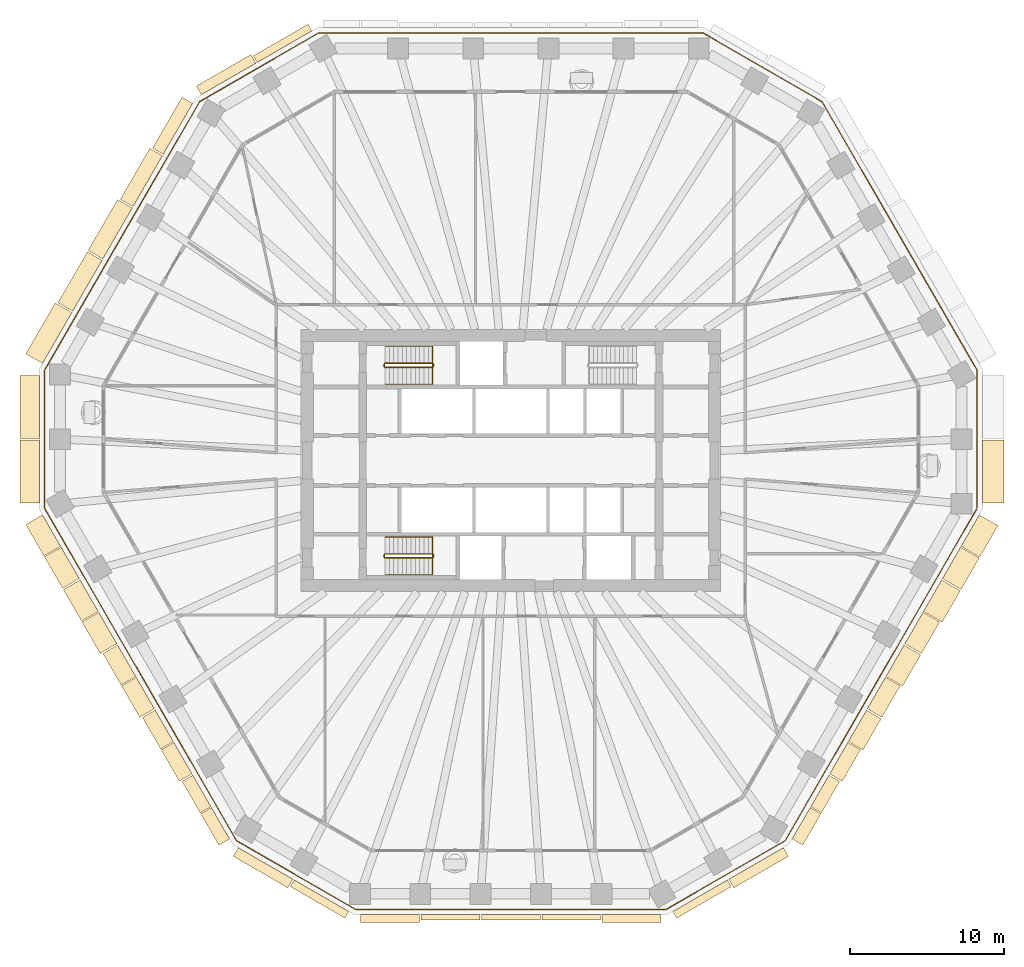
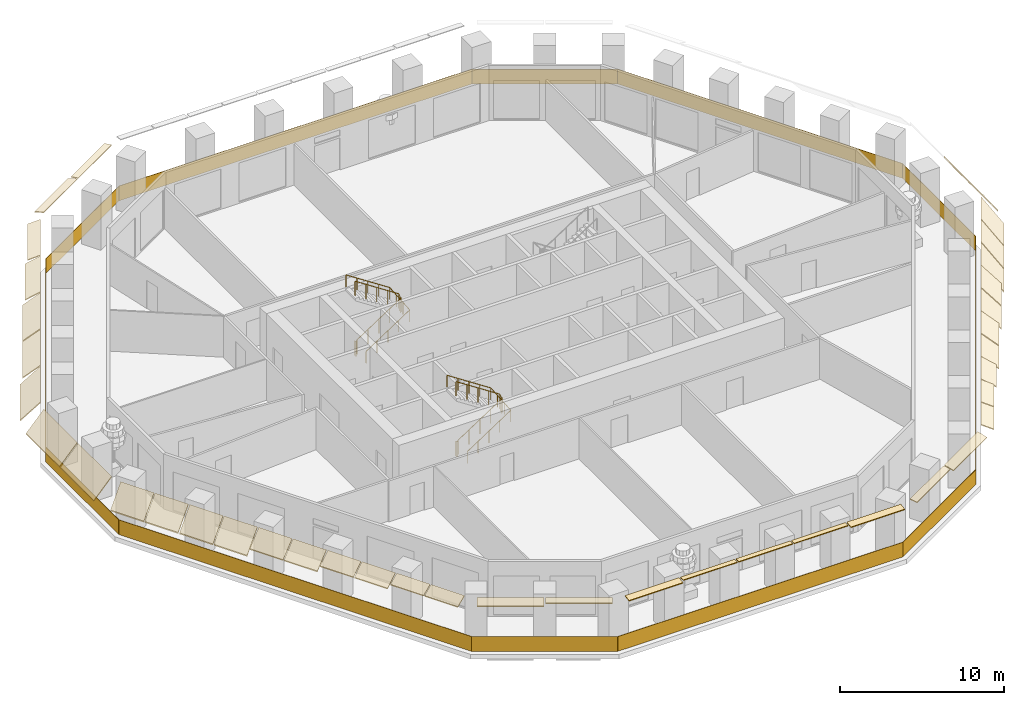
# One storey, part 9 of 12: 39 coverings, 5 railings.
"""IFC4 building model written with IfcOpenShell, lengths in metres."""

from ifc_helpers import new_model, si_unit, direction, frame, origin, origin_2d, place, context, subcontext, project, spatial, polyline, rectangle, circle, outline, extrude, material, layer, layer_set, type_object, element, save


model = new_model("IFC4")

# Units and contexts
model_context = context("Model", 3, precision=1e-05, world=origin(), true_north=direction((0.0, 1.0)))
body_context = subcontext(model_context, "Body", "Model", "MODEL_VIEW")
ifc_project = project(units=[si_unit("LENGTHUNIT", "METRE"), si_unit("AREAUNIT", "SQUARE_METRE"), si_unit("VOLUMEUNIT", "CUBIC_METRE"), si_unit("PLANEANGLEUNIT", "RADIAN"), si_unit("MASSUNIT", "GRAM", prefix="KILO")], contexts=[model_context])

# Site, building, storey
site_placement = place(None, origin())
site = spatial("IfcSite", under=ifc_project, at=site_placement, CompositionType="ELEMENT")
building_placement = place(site_placement, origin())
building = spatial("IfcBuilding", under=site, at=building_placement, Name="Frailejon Research Tower", CompositionType="ELEMENT")
storey_placement = place(building_placement, frame((0.0, 0.0, 126.39990234375)))
storey = spatial("IfcBuildingStorey", under=building, at=storey_placement, Name="L27", CompositionType="ELEMENT", Elevation=126.39990234375)

# Coverings
ifc_material_1 = material(Name="Precast concrete C50/60", Category="concrete")
ifc_layer_1 = layer(ifc_material_1, 0.06005859375)
ifc_layer_set_1 = layer_set([ifc_layer_1], Name="Brim blade depth 1100")
covering_type_1 = type_object("IfcCoveringType", Name="Brim blade depth 1100", PredefinedType="CLADDING", material=ifc_layer_set_1)
covering_1_placement = place(storey_placement, frame((-26.442626953125, 13.0654296875, 4.25), z_axis=(0.500001217064, 0.866024701111, 0.0), x_axis=(-0.866024701111, 0.500001217064, 0.0)))
element("IfcCovering", 1, at=covering_1_placement, inside=storey, type_object=covering_type_1, Name="Brim blade L27", PredefinedType="CLADDING", context=body_context, shape_type="SweptSolid", body=[
    extrude(outline(polyline([(0.0, -0.078369140625), (1.10009765625, -1.001220703125), (1.10009765625, -0.923095703125), (0.0, 0.0), (0.0, -0.078369140625)])), origin(), (0.0, 0.0, 1.0), 3.8125),
])
covering_2_placement = place(storey_placement, frame((-28.39892578125, 9.677001953125, 4.25), z_axis=(0.499990149831, 0.866031090707, 0.0), x_axis=(-0.866031090707, 0.499990149831, 0.0)))
element("IfcCovering", 2, at=covering_2_placement, inside=storey, type_object=covering_type_1, Name="Brim blade L27", PredefinedType="CLADDING", context=body_context, shape_type="SweptSolid", body=[
    extrude(outline(polyline([(0.0, -0.078369140625), (1.10009765625, -1.001220703125), (1.10009765625, -0.923095703125), (0.0, 0.0), (0.0, -0.078369140625)])), origin(), (0.0, 0.0, 1.0), 3.812744140625),
])
for number, where, z_axis, x_axis, name in (
    (3, (-24.306884765625, -13.9990234375, 4.25), (-0.50000563012, 0.866022153209, 0.0), (-0.866022153209, -0.50000563012, 0.0), "Brim blade L27"),
    (4, (-23.099365234375, -16.0908203125, 4.25), (-0.50000563012, 0.866022153209, 0.0), (-0.866022153209, -0.50000563012, 0.0), "Brim blade L27"),
    (5, (23.04931640625, -16.17724609375, 4.25), (-0.499996739973, -0.866027285954, 0.0), (0.866027285954, -0.499996739973, 0.0), "Brim blade L27"),
    (6, (24.277099609375, -14.051025390625, 4.25), (-0.50000563012, -0.866022153209, 0.0), (0.866022153209, -0.50000563012, 0.0), "Brim blade L27"),
):
    element("IfcCovering", number, at=place(storey_placement, frame(where, z_axis=z_axis, x_axis=x_axis)), inside=storey, type_object=covering_type_1, Name=name, PredefinedType="CLADDING", context=body_context, shape_type="SweptSolid", body=[
        extrude(outline(polyline([(0.0, -0.078369140625), (1.10009765625, -1.001220703125), (1.10009765625, -0.923095703125), (0.0, 0.0), (0.0, -0.078369140625)])), origin(), (0.0, 0.0, 1.0), 2.355224609375),
    ])
ifc_material_2 = material(Name="Precast concrete C50/60", Category="concrete")
ifc_layer_2 = layer(ifc_material_2, 0.06005859375)
ifc_layer_set_2 = layer_set([ifc_layer_2], Name="Brim blade depth 1250")
covering_type_2 = type_object("IfcCoveringType", Name="Brim blade depth 1250", PredefinedType="CLADDING", material=ifc_layer_set_2)
covering_3_placement = place(storey_placement, frame((-30.355224609375, 6.28857421875, 4.25), z_axis=(0.500001217064, 0.866024701111, 0.0), x_axis=(-0.866024701111, 0.500001217064, 0.0)))
element("IfcCovering", 7, at=covering_3_placement, inside=storey, type_object=covering_type_2, Name="Brim blade L27", PredefinedType="CLADDING", context=body_context, shape_type="SweptSolid", body=[
    extrude(outline(polyline([(0.0, -0.0888671875), (1.25, -1.452880859375), (1.25, -1.364013671875), (0.0, 0.0), (0.0, -0.0888671875)])), origin(), (0.0, 0.0, 1.0), 3.8125),
])
covering_4_placement = place(storey_placement, frame((-30.56103515625, 1.432861328125, 4.25), z_axis=(0.0, 1.0, 0.0), x_axis=(-1.0, 0.0, 0.0)))
element("IfcCovering", 8, at=covering_4_placement, inside=storey, type_object=covering_type_2, Name="Brim blade L27", PredefinedType="CLADDING", context=body_context, shape_type="SweptSolid", body=[
    extrude(outline(polyline([(0.0, -0.0888671875), (1.25, -1.452880859375), (1.25, -1.364013671875), (0.0, 0.0), (0.0, -0.0888671875)])), origin(), (0.0, 0.0, 1.0), 4.08740234375),
])
covering_5_placement = place(storey_placement, frame((-30.56103515625, -2.7548828125, 4.25), z_axis=(0.0, 1.0, 0.0), x_axis=(-1.0, 0.0, 0.0)))
element("IfcCovering", 9, at=covering_5_placement, inside=storey, type_object=covering_type_2, Name="Brim blade L27", PredefinedType="CLADDING", context=body_context, shape_type="SweptSolid", body=[
    extrude(outline(polyline([(0.0, -0.0888671875), (1.25, -1.452880859375), (1.25, -1.364013671875), (0.0, 0.0), (0.0, -0.0888671875)])), origin(), (0.0, 0.0, 1.0), 4.087646484375),
])
for number, where, z_axis, x_axis, name in (
    (10, (-29.177490234375, -5.56298828125, 4.25), (-0.499996739973, 0.866027285954, 0.0), (-0.866027285954, -0.499996739973, 0.0), "Brim blade L27"),
    (11, (-27.969970703125, -7.654541015625, 4.25), (-0.499996739973, 0.866027285954, 0.0), (-0.866027285954, -0.499996739973, 0.0), "Brim blade L27"),
    (12, (-26.7421875, -9.781005859375, 4.25), (-0.499996739973, 0.866027285954, 0.0), (-0.866027285954, -0.499996739973, 0.0), "Brim blade L27"),
    (13, (-25.53466796875, -11.872802734375, 4.25), (-0.499996739973, 0.866027285954, 0.0), (-0.866027285954, -0.499996739973, 0.0), "Brim blade L27"),
    (14, (25.484619140625, -11.959228515625, 4.25), (-0.50000563012, -0.866022153209, 0.0), (0.866022153209, -0.50000563012, 0.0), "Brim blade L27"),
    (15, (26.71240234375, -9.8330078125, 4.25), (-0.499996739973, -0.866027285954, 0.0), (0.866027285954, -0.499996739973, 0.0), "Brim blade L27"),
):
    element("IfcCovering", number, at=place(storey_placement, frame(where, z_axis=z_axis, x_axis=x_axis)), inside=storey, type_object=covering_type_2, Name=name, PredefinedType="CLADDING", context=body_context, shape_type="SweptSolid", body=[
        extrude(outline(polyline([(0.0, -0.0888671875), (1.25, -1.452880859375), (1.25, -1.364013671875), (0.0, 0.0), (0.0, -0.0888671875)])), origin(), (0.0, 0.0, 1.0), 2.355224609375),
    ])
ifc_material_3 = material(Name="Precast concrete C50/60", Category="concrete")
ifc_layer_3 = layer(ifc_material_3, 0.06005859375)
ifc_layer_set_3 = layer_set([ifc_layer_3], Name="Brim blade depth 1400")
covering_type_3 = type_object("IfcCoveringType", Name="Brim blade depth 1400", PredefinedType="CLADDING", material=ifc_layer_set_3)
covering_6_placement = place(storey_placement, frame((30.56103515625, 1.332763671875, 4.25), z_axis=(0.0, -1.0, 0.0), x_axis=(1.0, 0.0, 0.0)))
element("IfcCovering", 16, at=covering_6_placement, inside=storey, type_object=covering_type_3, Name="Brim blade L27", PredefinedType="CLADDING", context=body_context, shape_type="SweptSolid", body=[
    extrude(outline(polyline([(0.0, -0.1044921875), (1.39990234375, -2.10400390625), (1.39990234375, -1.99951171875), (0.0, 0.0), (0.0, -0.1044921875)])), origin(), (0.0, 0.0, 1.0), 4.087646484375),
])
for number, where, z_axis, x_axis, name in (
    (17, (27.919921875, -7.7412109375, 4.25), (-0.499996739973, -0.866027285954, 0.0), (0.866027285954, -0.499996739973, 0.0), "Brim blade L27"),
    (18, (29.147705078125, -5.61474609375, 4.25), (-0.499996739973, -0.866027285954, 0.0), (0.866027285954, -0.499996739973, 0.0), "Brim blade L27"),
    (19, (30.355224609375, -3.523193359375, 4.25), (-0.499996739973, -0.866027285954, 0.0), (0.866027285954, -0.499996739973, 0.0), "Brim blade L27"),
):
    element("IfcCovering", number, at=place(storey_placement, frame(where, z_axis=z_axis, x_axis=x_axis)), inside=storey, type_object=covering_type_3, Name=name, PredefinedType="CLADDING", context=body_context, shape_type="SweptSolid", body=[
        extrude(outline(polyline([(0.0, -0.1044921875), (1.39990234375, -2.10400390625), (1.39990234375, -1.99951171875), (0.0, 0.0), (0.0, -0.1044921875)])), origin(), (0.0, 0.0, 1.0), 2.355224609375),
    ])
ifc_material_4 = material(Name="Precast concrete C50/60", Category="concrete")
ifc_layer_4 = layer(ifc_material_4, 0.06005859375)
ifc_layer_set_4 = layer_set([ifc_layer_4], Name="Brim blade depth 350")
covering_type_4 = type_object("IfcCoveringType", Name="Brim blade depth 350", PredefinedType="CLADDING", material=ifc_layer_set_4)
for number, where, z_axis, x_axis, name in (
    (20, (-2.00634765625, -29.432861328125, 4.25), (-1.0, 0.0, 0.0), (0.0, -1.0, 0.0), "Brim blade L27"),
    (21, (1.90625, -29.432861328125, 4.25), (-1.0, 0.0, 0.0), (0.0, -1.0, 0.0), "Brim blade L27"),
    (22, (5.81884765625, -29.432861328125, 4.25), (-1.0, 0.0, 0.0), (0.0, -1.0, 0.0), "Brim blade L27"),
):
    element("IfcCovering", number, at=place(storey_placement, frame(where, z_axis=z_axis, x_axis=x_axis)), inside=storey, type_object=covering_type_4, Name=name, PredefinedType="CLADDING", context=body_context, shape_type="SweptSolid", body=[
        extrude(outline(polyline([(0.0, -0.06005859375), (0.35009765625, -0.06005859375), (0.35009765625, 0.0), (0.0, 0.0), (0.0, -0.06005859375)])), origin(), (0.0, 0.0, 1.0), 3.8125),
    ])
ifc_material_5 = material(Name="Precast concrete C50/60", Category="concrete")
ifc_layer_5 = layer(ifc_material_5, 0.06005859375)
ifc_layer_set_5 = layer_set([ifc_layer_5], Name="Brim blade depth 500")
covering_type_5 = type_object("IfcCoveringType", Name="Brim blade depth 500", PredefinedType="CLADDING", material=ifc_layer_set_5)
for number, where, z_axis, x_axis, name in (
    (23, (-16.434814453125, 25.80029296875, 4.25), (0.866027315287, 0.499996689166, 0.0), (-0.499996689166, 0.866027315287, 0.0), "Brim blade L27"),
    (24, (-10.499755859375, -29.226806640625, 4.25), (-0.866027315287, 0.499996689166, 0.0), (-0.499996689166, -0.866027315287, 0.0), "Brim blade L27"),
):
    element("IfcCovering", number, at=place(storey_placement, frame(where, z_axis=z_axis, x_axis=x_axis)), inside=storey, type_object=covering_type_5, Name=name, PredefinedType="CLADDING", context=body_context, shape_type="SweptSolid", body=[
        extrude(outline(polyline([(0.0, -0.060546875), (0.5, -0.130859375), (0.5, -0.0703125), (0.0, 0.0), (0.0, -0.060546875)])), origin(), (0.0, 0.0, 1.0), 4.087646484375),
    ])
for number, where, z_axis, x_axis, name in (
    (25, (-5.9189453125, -29.432861328125, 4.25), (-1.0, 0.0, 0.0), (0.0, -1.0, 0.0), "Brim blade L27"),
    (26, (9.7314453125, -29.432861328125, 4.25), (-1.0, 0.0, 0.0), (0.0, -1.0, 0.0), "Brim blade L27"),
):
    element("IfcCovering", number, at=place(storey_placement, frame(where, z_axis=z_axis, x_axis=x_axis)), inside=storey, type_object=covering_type_5, Name=name, PredefinedType="CLADDING", context=body_context, shape_type="SweptSolid", body=[
        extrude(outline(polyline([(0.0, -0.060546875), (0.5, -0.130859375), (0.5, -0.0703125), (0.0, 0.0), (0.0, -0.060546875)])), origin(), (0.0, 0.0, 1.0), 3.8125),
    ])
covering_7_placement = place(storey_placement, frame((14.039794921875, -27.18310546875, 4.25), z_axis=(-0.866027315287, -0.499996689166, 0.0), x_axis=(0.499996689166, -0.866027315287, 0.0)))
element("IfcCovering", 27, at=covering_7_placement, inside=storey, type_object=covering_type_5, Name="Brim blade L27", PredefinedType="CLADDING", context=body_context, shape_type="SweptSolid", body=[
    extrude(outline(polyline([(0.0, -0.060546875), (0.5, -0.130859375), (0.5, -0.0703125), (0.0, 0.0), (0.0, -0.060546875)])), origin(), (0.0, 0.0, 1.0), 4.087646484375),
])
ifc_material_6 = material(Name="Precast concrete C50/60", Category="concrete")
ifc_layer_6 = layer(ifc_material_6, 0.06005859375)
ifc_layer_set_6 = layer_set([ifc_layer_6], Name="Brim blade depth 650")
covering_type_6 = type_object("IfcCoveringType", Name="Brim blade depth 650", PredefinedType="CLADDING", material=ifc_layer_set_6)
for number, where, z_axis, x_axis, name in (
    (28, (-20.061279296875, 23.70654296875, 4.25), (0.866021344981, 0.500007029989, 0.0), (-0.500007029989, 0.866021344981, 0.0), "Brim blade L27"),
    (29, (-14.12646484375, -27.133056640625, 4.25), (-0.866021344981, 0.500007029989, 0.0), (-0.500007029989, -0.866021344981, 0.0), "Brim blade L27"),
    (30, (17.666259765625, -25.08935546875, 4.25), (-0.866021344981, -0.500007029989, 0.0), (0.500007029989, -0.866021344981, 0.0), "Brim blade L27"),
):
    element("IfcCovering", number, at=place(storey_placement, frame(where, z_axis=z_axis, x_axis=x_axis)), inside=storey, type_object=covering_type_6, Name=name, PredefinedType="CLADDING", context=body_context, shape_type="SweptSolid", body=[
        extrude(outline(polyline([(0.0, -0.0625), (0.64990234375, -0.248779296875), (0.64990234375, -0.186279296875), (0.0, 0.0), (0.0, -0.0625)])), origin(), (0.0, 0.0, 1.0), 4.08740234375),
    ])
ifc_material_7 = material(Name="Precast concrete C50/60", Category="concrete")
ifc_layer_7 = layer(ifc_material_7, 0.06005859375)
ifc_layer_set_7 = layer_set([ifc_layer_7], Name="Brim blade depth 800")
covering_type_7 = type_object("IfcCoveringType", Name="Brim blade depth 800", PredefinedType="CLADDING", material=ifc_layer_set_7)
covering_8_placement = place(storey_placement, frame((-22.530029296875, 19.84228515625, 4.25), z_axis=(0.500001217064, 0.866024701111, 0.0), x_axis=(-0.866024701111, 0.500001217064, 0.0)))
element("IfcCovering", 31, at=covering_8_placement, inside=storey, type_object=covering_type_7, Name="Brim blade L27", PredefinedType="CLADDING", context=body_context, shape_type="SweptSolid", body=[
    extrude(outline(polyline([(0.0, -0.065673828125), (0.800048828125, -0.421875), (0.800048828125, -0.356201171875), (0.0, 0.0), (0.0, -0.065673828125)])), origin(), (0.0, 0.0, 1.0), 3.8125),
])
for number, where, z_axis, x_axis, name in (
    (32, (-19.436279296875, -22.435302734375, 4.25), (-0.499996739973, 0.866027285954, 0.0), (-0.866027285954, -0.499996739973, 0.0), "Brim blade L27"),
    (33, (-18.228759765625, -24.52685546875, 4.25), (-0.499996739973, 0.866027285954, 0.0), (-0.866027285954, -0.499996739973, 0.0), "Brim blade L27"),
    (34, (19.406494140625, -22.487060546875, 4.25), (-0.499996739973, -0.866027285954, 0.0), (0.866027285954, -0.499996739973, 0.0), "Brim blade L27"),
    (35, (20.614013671875, -20.3955078125, 4.25), (-0.499996739973, -0.866027285954, 0.0), (0.866027285954, -0.499996739973, 0.0), "Brim blade L27"),
):
    element("IfcCovering", number, at=place(storey_placement, frame(where, z_axis=z_axis, x_axis=x_axis)), inside=storey, type_object=covering_type_7, Name=name, PredefinedType="CLADDING", context=body_context, shape_type="SweptSolid", body=[
        extrude(outline(polyline([(0.0, -0.065673828125), (0.800048828125, -0.421875), (0.800048828125, -0.356201171875), (0.0, 0.0), (0.0, -0.065673828125)])), origin(), (0.0, 0.0, 1.0), 2.355224609375),
    ])
ifc_material_8 = material(Name="Precast concrete C50/60", Category="concrete")
ifc_layer_8 = layer(ifc_material_8, 0.06005859375)
ifc_layer_set_8 = layer_set([ifc_layer_8], Name="Brim blade depth 950")
covering_type_8 = type_object("IfcCoveringType", Name="Brim blade depth 950", PredefinedType="CLADDING", material=ifc_layer_set_8)
covering_9_placement = place(storey_placement, frame((-24.486328125, 16.453857421875, 4.25), z_axis=(0.500001217064, 0.866024701111, 0.0), x_axis=(-0.866024701111, 0.500001217064, 0.0)))
element("IfcCovering", 36, at=covering_9_placement, inside=storey, type_object=covering_type_8, Name="Brim blade L27", PredefinedType="CLADDING", context=body_context, shape_type="SweptSolid", body=[
    extrude(outline(polyline([(0.0, -0.07080078125), (0.949951171875, -0.664306640625), (0.949951171875, -0.593505859375), (0.0, 0.0), (0.0, -0.07080078125)])), origin(), (0.0, 0.0, 1.0), 3.8125),
])
for number, where, z_axis, x_axis, name in (
    (37, (-21.87158203125, -18.217041015625, 4.25), (-0.499996739973, 0.866027285954, 0.0), (-0.866027285954, -0.499996739973, 0.0), "Brim blade L27"),
    (38, (-20.6640625, -20.308837890625, 4.25), (-0.499996739973, 0.866027285954, 0.0), (-0.866027285954, -0.499996739973, 0.0), "Brim blade L27"),
    (39, (21.841796875, -18.26904296875, 4.25), (-0.499996739973, -0.866027285954, 0.0), (0.866027285954, -0.499996739973, 0.0), "Brim blade L27"),
):
    element("IfcCovering", number, at=place(storey_placement, frame(where, z_axis=z_axis, x_axis=x_axis)), inside=storey, type_object=covering_type_8, Name=name, PredefinedType="CLADDING", context=body_context, shape_type="SweptSolid", body=[
        extrude(outline(polyline([(0.0, -0.07080078125), (0.949951171875, -0.664306640625), (0.949951171875, -0.593505859375), (0.0, 0.0), (0.0, -0.07080078125)])), origin(), (0.0, 0.0, 1.0), 2.355224609375),
    ])

# Railings
ifc_material_9 = material(Name="Laminated glass balustrade", Category="glass")
railing_type_1 = type_object("IfcRailingType", Name="Glass guard 1100", PredefinedType="GUARDRAIL", material=ifc_material_9)
railing_1_placement = place(storey_placement, frame((30.225830078125, -3.07666015625, 0.0)))
element("IfcRailing", 40, at=railing_1_placement, inside=storey, type_object=railing_type_1, Name="Loggia guard L27", PredefinedType="GUARDRAIL", context=body_context, shape_type="SweptSolid", body=[
    extrude(rectangle(XDim=8.9189453125, YDim=0.030029296875, at=origin_2d()), frame((0.0, 4.45947265625, 0.0), z_axis=(0.0, 0.0, 1.0), x_axis=(0.0, 1.0, 0.0)), (0.0, 0.0, 1.0), 1.10009765625),
    extrude(rectangle(XDim=20.10693359375, YDim=0.030029296875, at=origin_2d()), frame((-5.02685546875, 17.62548828125, 0.0), z_axis=(0.0, 0.0, 1.0), x_axis=(-0.500000632, 0.866025038898, 0.0)), (0.0, 0.0, 1.0), 1.10009765625),
    extrude(rectangle(XDim=8.918701171875, YDim=0.030029296875, at=origin_2d()), frame((-13.91552734375, 28.5615234375, 0.0), z_axis=(0.0, 0.0, 1.0), x_axis=(-0.866032876802, 0.49998705613, 0.0)), (0.0, 0.0, 1.0), 1.10009765625),
    extrude(rectangle(XDim=24.89697265625, YDim=0.030029296875, at=origin_2d()), frame((-30.225830078125, 30.791259765625, 0.0), z_axis=(0.0, 0.0, 1.0), x_axis=(-1.0, 0.0, 0.0)), (0.0, 0.0, 1.0), 1.10009765625),
    extrude(rectangle(XDim=8.918701171875, YDim=0.030029296875, at=origin_2d()), frame((-46.5361328125, 28.5615234375, 0.0), z_axis=(0.0, 0.0, 1.0), x_axis=(-0.866032876802, -0.49998705613, 0.0)), (0.0, 0.0, 1.0), 1.10009765625),
    extrude(rectangle(XDim=20.10693359375, YDim=0.030029296875, at=origin_2d()), frame((-55.4248046875, 17.62548828125, 0.0), z_axis=(0.0, 0.0, 1.0), x_axis=(-0.500000632, -0.866025038898, 0.0)), (0.0, 0.0, 1.0), 1.10009765625),
    extrude(rectangle(XDim=8.9189453125, YDim=0.030029296875, at=origin_2d()), frame((-60.45166015625, 4.45947265625, 0.0), z_axis=(0.0, 0.0, 1.0), x_axis=(0.0, -1.0, 0.0)), (0.0, 0.0, 1.0), 1.10009765625),
    extrude(rectangle(XDim=24.89697265625, YDim=0.030029296875, at=origin_2d()), frame((-54.2275390625, -10.78076171875, 0.0), z_axis=(0.0, 0.0, 1.0), x_axis=(0.500002287094, -0.866024083326, 0.0)), (0.0, 0.0, 1.0), 1.10009765625),
    extrude(rectangle(XDim=8.918701171875, YDim=0.030029296875, at=origin_2d()), frame((-44.14111328125, -23.791015625, 0.0), z_axis=(0.0, 0.0, 1.0), x_axis=(0.866021023613, -0.500007586602, 0.0)), (0.0, 0.0, 1.0), 1.10009765625),
    extrude(rectangle(XDim=20.10693359375, YDim=0.030029296875, at=origin_2d()), frame((-30.225830078125, -26.020751953125, 0.0), z_axis=(0.0, 0.0, 1.0), x_axis=(1.0, 0.0, 0.0)), (0.0, 0.0, 1.0), 1.10009765625),
    extrude(rectangle(XDim=8.918701171875, YDim=0.030029296875, at=origin_2d()), frame((-16.310546875, -23.791015625, 0.0), z_axis=(0.0, 0.0, 1.0), x_axis=(0.866021023613, 0.500007586602, 0.0)), (0.0, 0.0, 1.0), 1.10009765625),
    extrude(rectangle(XDim=24.826904296875, YDim=0.030029296875, at=origin_2d()), frame((-6.24169921875, -10.81103515625, 0.0), z_axis=(0.0, 0.0, 1.0), x_axis=(0.500003642221, 0.866023300937, 0.0)), (0.0, 0.0, 1.0), 1.10009765625),
])
ifc_material_10 = material(Name="Stainless steel", Category="steel")
railing_type_2 = type_object("IfcRailingType", Name="Stair guard 1100", PredefinedType="GUARDRAIL", material=ifc_material_10)
railing_2_placement = place(storey_placement, frame((-8.199951171875, 6.25, 0.0)))
element("IfcRailing", 41, at=railing_2_placement, inside=storey, type_object=railing_type_2, Name="L27 ST1 stair guard 1", PredefinedType="GUARDRAIL", context=body_context, shape_type="SweptSolid", body=[
    extrude(circle(Radius=0.02392578125, at=origin_2d()), frame((0.0, 0.0, 1.076171875), z_axis=(0.0, -1.0, 0.0), x_axis=(1.0, 0.0, 0.0)), (0.0, 0.0, 1.0), 0.14990234375),
    extrude(circle(Radius=0.02392578125, at=origin_2d()), frame((0.0, -0.14990234375, 1.076171875), z_axis=(0.254653276557, -0.254653276557, 0.932900539971), x_axis=(0.707106781187, 0.707106781187, 0.0)), (0.0, 0.0, 1.0), 0.196533203125),
    extrude(circle(Radius=0.02392578125, at=origin_2d()), frame((0.050048828125, -0.199951171875, 1.25927734375), z_axis=(0.836582707638, 0.0, 0.547840645882), x_axis=(0.0, 1.0, 0.0)), (0.0, 0.0, 1.0), 3.681396484375),
    extrude(circle(Radius=0.02392578125, at=origin_2d()), frame((3.1298828125, -0.199951171875, 3.2763671875), z_axis=(0.707106781187, 0.707106781187, 0.0), x_axis=(-0.707106781187, 0.707106781187, 0.0)), (0.0, 0.0, 1.0), 0.07080078125),
    extrude(circle(Radius=0.02392578125, at=origin_2d()), frame((3.179931640625, -0.14990234375, 3.2763671875), z_axis=(0.0, 1.0, 0.0), x_axis=(-1.0, 0.0, 0.0)), (0.0, 0.0, 1.0), 0.14990234375),
    extrude(circle(Radius=0.02392578125, at=origin_2d()), frame((3.179931640625, 0.0, 3.2763671875), z_axis=(-0.254653276557, 0.254653276557, 0.932900539971), x_axis=(-0.707106781187, -0.707106781187, 0.0)), (0.0, 0.0, 1.0), 0.196533203125),
    extrude(circle(Radius=0.02392578125, at=origin_2d()), frame((3.1298828125, 0.050048828125, 3.45947265625), z_axis=(-0.836613101238, 0.0, 0.547794230379), x_axis=(0.0, -1.0, 0.0)), (0.0, 0.0, 1.0), 3.681396484375),
    extrude(circle(Radius=0.02099609375, at=origin_2d()), origin(), (0.0, 0.0, 1.0), 1.052001953125),
    extrude(circle(Radius=0.02099609375, at=origin_2d()), frame((0.0, -0.14990234375, 0.0)), (0.0, 0.0, 1.0), 1.052001953125),
    extrude(circle(Radius=0.02099609375, at=origin_2d()), frame((0.050048828125, -0.199951171875, 0.183349609375)), (0.0, 0.0, 1.0), 1.052001953125),
    extrude(circle(Radius=0.02099609375, at=origin_2d()), frame((0.820068359375, -0.199951171875, 0.6875)), (0.0, 0.0, 1.0), 1.052001953125),
    extrude(circle(Radius=0.02099609375, at=origin_2d()), frame((1.58984375, -0.199951171875, 1.19189453125)), (0.0, 0.0, 1.0), 1.052001953125),
    extrude(circle(Radius=0.02099609375, at=origin_2d()), frame((2.35986328125, -0.199951171875, 1.696044921875)), (0.0, 0.0, 1.0), 1.052001953125),
    extrude(circle(Radius=0.02099609375, at=origin_2d()), frame((3.1298828125, -0.199951171875, 2.2001953125)), (0.0, 0.0, 1.0), 1.052001953125),
    extrude(circle(Radius=0.02099609375, at=origin_2d()), frame((3.179931640625, -0.14990234375, 2.2001953125)), (0.0, 0.0, 1.0), 1.052001953125),
    extrude(circle(Radius=0.02099609375, at=origin_2d()), frame((3.179931640625, 0.0, 2.2001953125)), (0.0, 0.0, 1.0), 1.052001953125),
    extrude(circle(Radius=0.02099609375, at=origin_2d()), frame((3.1298828125, 0.050048828125, 2.383544921875)), (0.0, 0.0, 1.0), 1.052001953125),
    extrude(circle(Radius=0.02099609375, at=origin_2d()), frame((2.35986328125, 0.050048828125, 2.8876953125)), (0.0, 0.0, 1.0), 1.052001953125),
    extrude(circle(Radius=0.02099609375, at=origin_2d()), frame((1.58984375, 0.050048828125, 3.391845703125)), (0.0, 0.0, 1.0), 1.052001953125),
    extrude(circle(Radius=0.02099609375, at=origin_2d()), frame((0.820068359375, 0.050048828125, 3.89599609375)), (0.0, 0.0, 1.0), 1.052001953125),
    extrude(circle(Radius=0.02099609375, at=origin_2d()), frame((0.050048828125, 0.050048828125, 4.400146484375)), (0.0, 0.0, 1.0), 1.052001953125),
])
railing_3_placement = place(storey_placement, frame((-8.199951171875, -6.10009765625, 0.0)))
element("IfcRailing", 42, at=railing_3_placement, inside=storey, type_object=railing_type_2, Name="L27 ST2 stair guard 1", PredefinedType="GUARDRAIL", context=body_context, shape_type="SweptSolid", body=[
    extrude(circle(Radius=0.02392578125, at=origin_2d()), frame((0.0, 0.0, 1.076171875), z_axis=(0.0, -1.0, 0.0), x_axis=(1.0, 0.0, 0.0)), (0.0, 0.0, 1.0), 0.14990234375),
    extrude(circle(Radius=0.02392578125, at=origin_2d()), frame((0.0, -0.14990234375, 1.076171875), z_axis=(0.254653276557, -0.254653276557, 0.932900539971), x_axis=(0.707106781187, 0.707106781187, 0.0)), (0.0, 0.0, 1.0), 0.196533203125),
    extrude(circle(Radius=0.02392578125, at=origin_2d()), frame((0.050048828125, -0.199951171875, 1.25927734375), z_axis=(0.836582707638, 0.0, 0.547840645882), x_axis=(0.0, 1.0, 0.0)), (0.0, 0.0, 1.0), 3.681396484375),
    extrude(circle(Radius=0.02392578125, at=origin_2d()), frame((3.1298828125, -0.199951171875, 3.2763671875), z_axis=(0.707106781187, 0.707106781187, 0.0), x_axis=(-0.707106781187, 0.707106781187, 0.0)), (0.0, 0.0, 1.0), 0.07080078125),
    extrude(circle(Radius=0.02392578125, at=origin_2d()), frame((3.179931640625, -0.14990234375, 3.2763671875), z_axis=(0.0, 1.0, 0.0), x_axis=(-1.0, 0.0, 0.0)), (0.0, 0.0, 1.0), 0.14990234375),
    extrude(circle(Radius=0.02392578125, at=origin_2d()), frame((3.179931640625, 0.0, 3.2763671875), z_axis=(-0.254653276557, 0.254653276557, 0.932900539971), x_axis=(-0.707106781187, -0.707106781187, 0.0)), (0.0, 0.0, 1.0), 0.196533203125),
    extrude(circle(Radius=0.02392578125, at=origin_2d()), frame((3.1298828125, 0.050048828125, 3.45947265625), z_axis=(-0.836613101238, 0.0, 0.547794230379), x_axis=(0.0, -1.0, 0.0)), (0.0, 0.0, 1.0), 3.681396484375),
    extrude(circle(Radius=0.02099609375, at=origin_2d()), origin(), (0.0, 0.0, 1.0), 1.052001953125),
    extrude(circle(Radius=0.02099609375, at=origin_2d()), frame((0.0, -0.14990234375, 0.0)), (0.0, 0.0, 1.0), 1.052001953125),
    extrude(circle(Radius=0.02099609375, at=origin_2d()), frame((0.050048828125, -0.199951171875, 0.183349609375)), (0.0, 0.0, 1.0), 1.052001953125),
    extrude(circle(Radius=0.02099609375, at=origin_2d()), frame((0.820068359375, -0.199951171875, 0.6875)), (0.0, 0.0, 1.0), 1.052001953125),
    extrude(circle(Radius=0.02099609375, at=origin_2d()), frame((1.58984375, -0.199951171875, 1.19189453125)), (0.0, 0.0, 1.0), 1.052001953125),
    extrude(circle(Radius=0.02099609375, at=origin_2d()), frame((2.35986328125, -0.199951171875, 1.696044921875)), (0.0, 0.0, 1.0), 1.052001953125),
    extrude(circle(Radius=0.02099609375, at=origin_2d()), frame((3.1298828125, -0.199951171875, 2.2001953125)), (0.0, 0.0, 1.0), 1.052001953125),
    extrude(circle(Radius=0.02099609375, at=origin_2d()), frame((3.179931640625, -0.14990234375, 2.2001953125)), (0.0, 0.0, 1.0), 1.052001953125),
    extrude(circle(Radius=0.02099609375, at=origin_2d()), frame((3.179931640625, 0.0, 2.2001953125)), (0.0, 0.0, 1.0), 1.052001953125),
    extrude(circle(Radius=0.02099609375, at=origin_2d()), frame((3.1298828125, 0.050048828125, 2.383544921875)), (0.0, 0.0, 1.0), 1.052001953125),
    extrude(circle(Radius=0.02099609375, at=origin_2d()), frame((2.35986328125, 0.050048828125, 2.8876953125)), (0.0, 0.0, 1.0), 1.052001953125),
    extrude(circle(Radius=0.02099609375, at=origin_2d()), frame((1.58984375, 0.050048828125, 3.391845703125)), (0.0, 0.0, 1.0), 1.052001953125),
    extrude(circle(Radius=0.02099609375, at=origin_2d()), frame((0.820068359375, 0.050048828125, 3.89599609375)), (0.0, 0.0, 1.0), 1.052001953125),
    extrude(circle(Radius=0.02099609375, at=origin_2d()), frame((0.050048828125, 0.050048828125, 4.400146484375)), (0.0, 0.0, 1.0), 1.052001953125),
])
ifc_material_11 = material(Name="Stainless steel", Category="steel")
railing_type_3 = type_object("IfcRailingType", Name="Stair handrail 900", PredefinedType="HANDRAIL", material=ifc_material_11)
railing_4_placement = place(storey_placement, frame((-8.14990234375, 4.949951171875, 0.183349609375)))
element("IfcRailing", 43, at=railing_4_placement, inside=storey, type_object=railing_type_3, Name="L27 ST1 stair handrail 1", PredefinedType="HANDRAIL", context=body_context, shape_type="SweptSolid", body=[
    extrude(circle(Radius=0.02392578125, at=origin_2d()), frame((0.0, 0.0, 0.8759765625), z_axis=(0.836582707638, 0.0, 0.547840645882), x_axis=(0.0, 1.0, 0.0)), (0.0, 0.0, 1.0), 3.681396484375),
    extrude(circle(Radius=0.02392578125, at=origin_2d()), frame((3.079833984375, 0.0, 2.892578125), z_axis=(0.0, 0.99721134034, 0.074629368868), x_axis=(-1.0, 0.0, 0.0)), (0.0, 0.0, 1.0), 2.456787109375),
    extrude(circle(Radius=0.02392578125, at=origin_2d()), frame((3.079833984375, 2.449951171875, 3.076171875), z_axis=(-0.836613101238, 0.0, 0.547794230379), x_axis=(0.0, -1.0, 0.0)), (0.0, 0.0, 1.0), 3.681396484375),
    extrude(circle(Radius=0.02099609375, at=origin_2d()), origin(), (0.0, 0.0, 1.0), 0.851806640625),
    extrude(circle(Radius=0.02099609375, at=origin_2d()), frame((0.77001953125, 0.0, 0.504150390625)), (0.0, 0.0, 1.0), 0.851806640625),
    extrude(circle(Radius=0.02099609375, at=origin_2d()), frame((1.5400390625, 0.0, 1.00830078125)), (0.0, 0.0, 1.0), 0.851806640625),
    extrude(circle(Radius=0.02099609375, at=origin_2d()), frame((2.309814453125, 0.0, 1.5126953125)), (0.0, 0.0, 1.0), 0.851806640625),
    extrude(circle(Radius=0.02099609375, at=origin_2d()), frame((3.079833984375, 0.0, 2.016845703125)), (0.0, 0.0, 1.0), 0.851806640625),
    extrude(circle(Radius=0.02099609375, at=origin_2d()), frame((3.079833984375, 0.816650390625, 2.077880859375)), (0.0, 0.0, 1.0), 0.851806640625),
    extrude(circle(Radius=0.02099609375, at=origin_2d()), frame((3.079833984375, 1.63330078125, 2.13916015625)), (0.0, 0.0, 1.0), 0.851806640625),
    extrude(circle(Radius=0.02099609375, at=origin_2d()), frame((3.079833984375, 2.449951171875, 2.2001953125)), (0.0, 0.0, 1.0), 0.851806640625),
    extrude(circle(Radius=0.02099609375, at=origin_2d()), frame((2.309814453125, 2.449951171875, 2.704345703125)), (0.0, 0.0, 1.0), 0.851806640625),
    extrude(circle(Radius=0.02099609375, at=origin_2d()), frame((1.5400390625, 2.449951171875, 3.20849609375)), (0.0, 0.0, 1.0), 0.851806640625),
    extrude(circle(Radius=0.02099609375, at=origin_2d()), frame((0.77001953125, 2.449951171875, 3.712646484375)), (0.0, 0.0, 1.0), 0.851806640625),
    extrude(circle(Radius=0.02099609375, at=origin_2d()), frame((0.0, 2.449951171875, 4.216796875)), (0.0, 0.0, 1.0), 0.851806640625),
])
railing_5_placement = place(storey_placement, frame((-8.14990234375, -7.39990234375, 0.183349609375)))
element("IfcRailing", 44, at=railing_5_placement, inside=storey, type_object=railing_type_3, Name="L27 ST2 stair handrail 1", PredefinedType="HANDRAIL", context=body_context, shape_type="SweptSolid", body=[
    extrude(circle(Radius=0.02392578125, at=origin_2d()), frame((0.0, 0.0, 0.8759765625), z_axis=(0.836582707638, 0.0, 0.547840645882), x_axis=(0.0, 1.0, 0.0)), (0.0, 0.0, 1.0), 3.681396484375),
    extrude(circle(Radius=0.02392578125, at=origin_2d()), frame((3.079833984375, 0.0, 2.892578125), z_axis=(0.0, 0.99721134034, 0.074629368868), x_axis=(-1.0, 0.0, 0.0)), (0.0, 0.0, 1.0), 2.456787109375),
    extrude(circle(Radius=0.02392578125, at=origin_2d()), frame((3.079833984375, 2.449951171875, 3.076171875), z_axis=(-0.836613101238, 0.0, 0.547794230379), x_axis=(0.0, -1.0, 0.0)), (0.0, 0.0, 1.0), 3.681396484375),
    extrude(circle(Radius=0.02099609375, at=origin_2d()), origin(), (0.0, 0.0, 1.0), 0.851806640625),
    extrude(circle(Radius=0.02099609375, at=origin_2d()), frame((0.77001953125, 0.0, 0.504150390625)), (0.0, 0.0, 1.0), 0.851806640625),
    extrude(circle(Radius=0.02099609375, at=origin_2d()), frame((1.5400390625, 0.0, 1.00830078125)), (0.0, 0.0, 1.0), 0.851806640625),
    extrude(circle(Radius=0.02099609375, at=origin_2d()), frame((2.309814453125, 0.0, 1.5126953125)), (0.0, 0.0, 1.0), 0.851806640625),
    extrude(circle(Radius=0.02099609375, at=origin_2d()), frame((3.079833984375, 0.0, 2.016845703125)), (0.0, 0.0, 1.0), 0.851806640625),
    extrude(circle(Radius=0.02099609375, at=origin_2d()), frame((3.079833984375, 0.816650390625, 2.077880859375)), (0.0, 0.0, 1.0), 0.851806640625),
    extrude(circle(Radius=0.02099609375, at=origin_2d()), frame((3.079833984375, 1.63330078125, 2.13916015625)), (0.0, 0.0, 1.0), 0.851806640625),
    extrude(circle(Radius=0.02099609375, at=origin_2d()), frame((3.079833984375, 2.449951171875, 2.2001953125)), (0.0, 0.0, 1.0), 0.851806640625),
    extrude(circle(Radius=0.02099609375, at=origin_2d()), frame((2.309814453125, 2.449951171875, 2.704345703125)), (0.0, 0.0, 1.0), 0.851806640625),
    extrude(circle(Radius=0.02099609375, at=origin_2d()), frame((1.5400390625, 2.449951171875, 3.20849609375)), (0.0, 0.0, 1.0), 0.851806640625),
    extrude(circle(Radius=0.02099609375, at=origin_2d()), frame((0.77001953125, 2.449951171875, 3.712646484375)), (0.0, 0.0, 1.0), 0.851806640625),
    extrude(circle(Radius=0.02099609375, at=origin_2d()), frame((0.0, 2.449951171875, 4.216796875)), (0.0, 0.0, 1.0), 0.851806640625),
])

save(model, "model.ifc")
